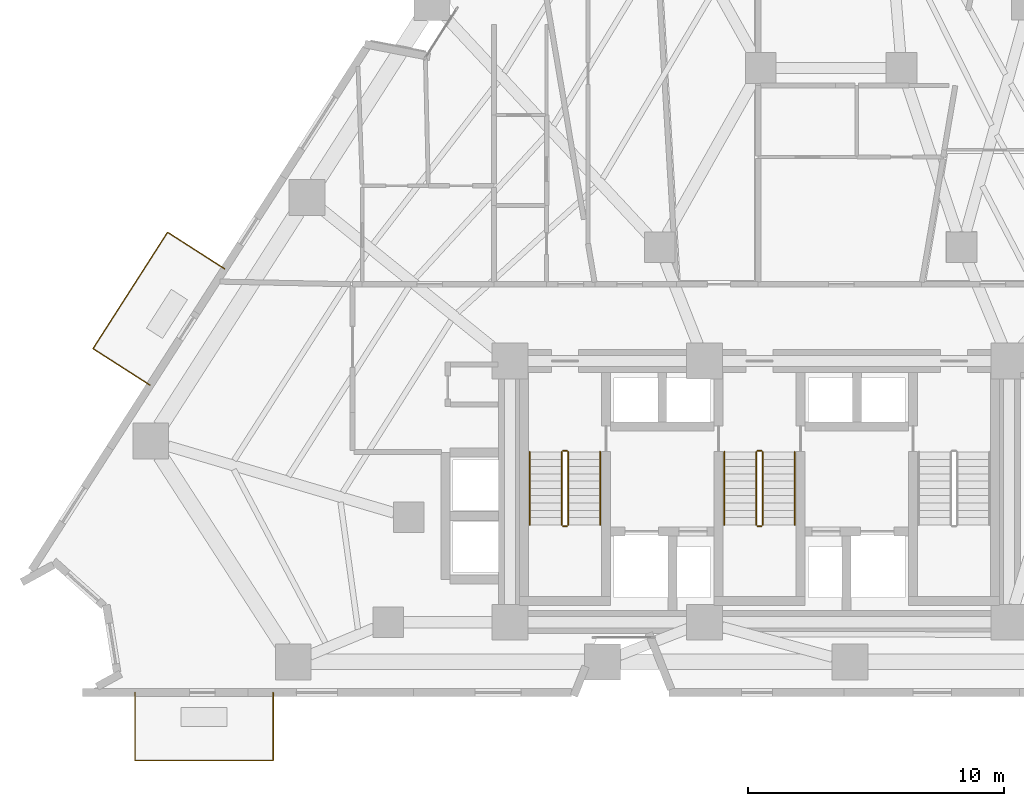
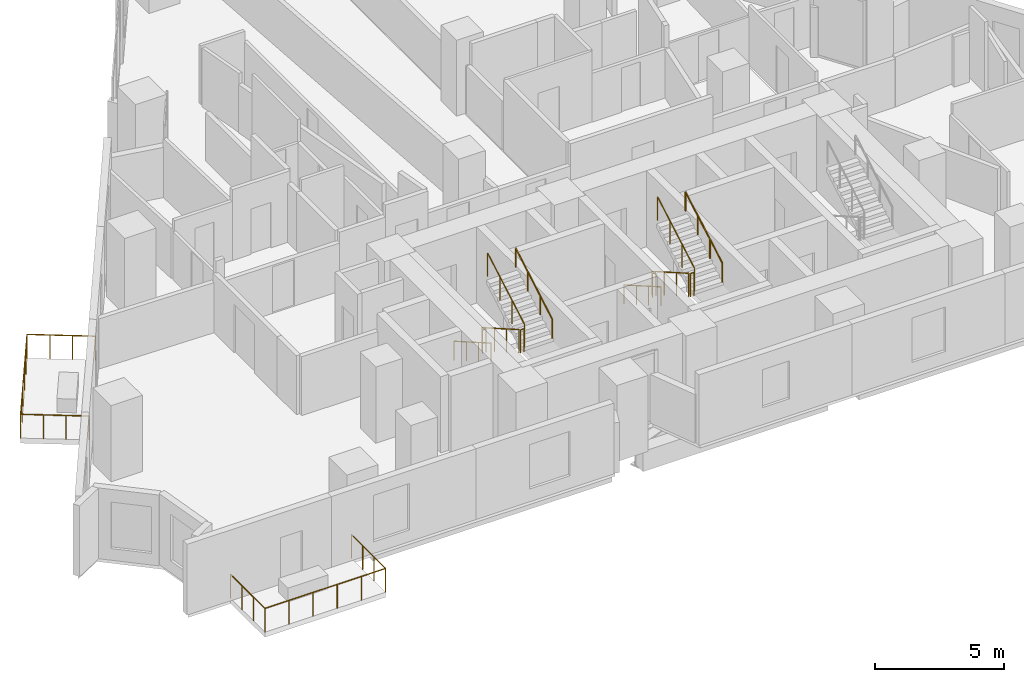
# One storey, part 11 of 14: 14 railings.
"""IFC4 building model written with IfcOpenShell, lengths in metres."""

import ifcopenshell
import ifcopenshell.guid

model = None  # the IFC model being written
_history = None  # IfcOwnerHistory: only IFC2X3 demands one
_inside = {}  # id of a spatial element -> (the spatial element, [elements in it])
_under = {}  # id of a project, library or spatial element -> (it, [spatial elements below it])
_declared = {}  # id of a project -> (the project, [libraries it declares])
_typed = {}  # id of a type object -> (the type object, [elements of that type])
_made_of = {}  # id of a material, layer set ... -> (it, [elements and type objects made of it])


def new_model(schema):
    """Start an empty IFC model of exactly this schema.

    Asked for "IFC4X3", IfcOpenShell would pick the latest addendum, in which some entities
    have other attributes; the version numbers below select the first issue.
    IFC2X3 requires an IfcOwnerHistory on every rooted entity: one is made here for all.
    """
    global model, _history
    if schema == "IFC4X3":
        model = ifcopenshell.file(schema_version=(4, 3, 0, 0))
    else:
        model = ifcopenshell.file(schema=schema)
    _inside.clear()
    _under.clear()
    _declared.clear()
    _typed.clear()
    _made_of.clear()
    _history = None
    if model.schema == "IFC2X3":
        org = make("IfcOrganization", Name="unknown")
        user = make(
            "IfcPersonAndOrganization",
            ThePerson=make("IfcPerson", FamilyName="unknown"),
            TheOrganization=org,
        )
        app = make(
            "IfcApplication",
            ApplicationDeveloper=org,
            Version="unknown",
            ApplicationFullName="unknown",
            ApplicationIdentifier="unknown",
        )
        _history = make(
            "IfcOwnerHistory",
            OwningUser=user,
            OwningApplication=app,
            ChangeAction="ADDED",
            CreationDate=0,
        )
    return model


def make(cls, **values):
    """One entity of the class cls with the attributes given. An attribute that is None is left unset."""
    return model.create_entity(
        cls, **{name: value for name, value in values.items() if value is not None}
    )


def rooted(cls, **values):
    """An entity with a GlobalId (a new one), such as an element, a storey or a relation."""
    return make(cls, GlobalId=ifcopenshell.guid.new(), OwnerHistory=_history, **values)


def si_unit(unit_type, name, prefix=None):
    """IfcSIUnit, for example si_unit("LENGTHUNIT", "METRE", prefix="MILLI")."""
    return make("IfcSIUnit", UnitType=unit_type, Prefix=prefix, Name=name)


def assignment(units):
    """IfcUnitAssignment: the units of a project."""
    return None if units is None else make("IfcUnitAssignment", Units=units)


def point(xyz):
    """IfcCartesianPoint."""
    return None if xyz is None else make("IfcCartesianPoint", Coordinates=xyz)


def direction(xyz):
    """IfcDirection."""
    return None if xyz is None else make("IfcDirection", DirectionRatios=xyz)


def frame(location, z_axis=None, x_axis=None):
    """IfcAxis2Placement3D, a coordinate frame: its origin and axes. An axis left out is left unset."""
    return make(
        "IfcAxis2Placement3D",
        Location=point(location),
        Axis=direction(z_axis),
        RefDirection=direction(x_axis),
    )


def frame_2d(location, x_axis=None):
    """IfcAxis2Placement2D, a coordinate frame in the plane: its origin and x axis."""
    return make(
        "IfcAxis2Placement2D", Location=point(location), RefDirection=direction(x_axis)
    )


def origin():
    """The frame at (0, 0, 0) with its axes left unset."""
    return frame((0.0, 0.0, 0.0))


def origin_2d():
    """The frame at (0, 0) in the plane with its x axis left unset."""
    return frame_2d((0.0, 0.0))


def place(relative_to, where):
    """IfcLocalPlacement: puts the frame where relative to a parent placement (None: the world)."""
    return make(
        "IfcLocalPlacement", PlacementRelTo=relative_to, RelativePlacement=where
    )


def context(
    kind, dimensions, precision=None, world=None, true_north=None, identifier=None
):
    """IfcGeometricRepresentationContext, for example the 3D "Model" context."""
    return make(
        "IfcGeometricRepresentationContext",
        ContextIdentifier=identifier,
        ContextType=kind,
        CoordinateSpaceDimension=dimensions,
        Precision=precision,
        WorldCoordinateSystem=world,
        TrueNorth=true_north,
    )


def subcontext(parent, identifier, kind, view, scale=None):
    """IfcGeometricRepresentationSubContext, for example "Body" below "Model"."""
    return make(
        "IfcGeometricRepresentationSubContext",
        ContextIdentifier=identifier,
        ContextType=kind,
        ParentContext=parent,
        TargetScale=scale,
        TargetView=view,
    )


def project(units=None, contexts=None):
    """IfcProject with its units and contexts."""
    return rooted(
        "IfcProject",
        Name="project",
        RepresentationContexts=contexts,
        UnitsInContext=assignment(units),
    )


def spatial(cls, under=None, at=None, **own):
    """A site, building, storey or space (cls), placed at a placement, below another one or the project."""
    s = rooted(cls, ObjectPlacement=at, **own)
    if under is not None:
        _under.setdefault(under.id(), (under, []))[1].append(s)
    return s


def profile(cls, at=None, kind="AREA", **sizes):
    """A parametric profile (cls). Its sizes go by their IFC names, for example OverallWidth=200.0."""
    return make(cls, ProfileType=kind, Position=at, **sizes)


def circle(**sizes):
    """IfcCircleProfileDef."""
    return profile("IfcCircleProfileDef", **sizes)


def extrude(swept, where, along, depth):
    """IfcExtrudedAreaSolid: the profile swept, set in the frame where, extruded along a direction by depth."""
    return make(
        "IfcExtrudedAreaSolid",
        SweptArea=swept,
        Position=where,
        ExtrudedDirection=direction(along),
        Depth=depth,
    )


def shape(context_of_items, identifier, shape_type, items):
    """IfcShapeRepresentation: the items that make up one representation, for example the "Body"."""
    return make(
        "IfcShapeRepresentation",
        ContextOfItems=context_of_items,
        RepresentationIdentifier=identifier,
        RepresentationType=shape_type,
        Items=items,
    )


def material(Name=None, Category=None):
    """IfcMaterial."""
    return make("IfcMaterial", Name=Name, Category=Category)


def made_of(thing, what):
    """Note that an element or type object is made of a material, layer set ...; save() writes the relation."""
    if what is not None:
        _made_of.setdefault(what.id(), (what, []))[1].append(thing)
    return thing


def type_object(cls, material=None, **own):
    """A type object (cls), such as IfcWallType, which elements share."""
    return made_of(rooted(cls, **own), material)


def element(
    cls,
    number,
    at=None,
    inside=None,
    cuts=None,
    type_object=None,
    material=None,
    context=None,
    identifier="Body",
    shape_type=None,
    held_by="IfcProductDefinitionShape",
    body=None,
    shapes=None,
    **own,
):
    """One element of the class cls, such as IfcWall. Its Tag is "e" and its number.

    at: its placement. inside: the storey or other place that contains it. cuts: it is an
    opening in that element (IfcRelVoidsElement). A single representation is given by context,
    identifier, shape_type and body (its items); several are given by shapes. held_by: the class
    of the entity that holds the representations. save() writes the other relations.
    """
    e = rooted(cls, Tag="e%d" % number, ObjectPlacement=at, **own)
    if body is not None:
        shapes = [shape(context, identifier, shape_type, body)]
    if shapes is not None:
        e.Representation = make(held_by, Representations=shapes)
    if inside is not None:
        _inside.setdefault(inside.id(), (inside, []))[1].append(e)
    if cuts is not None:
        rooted(
            "IfcRelVoidsElement", RelatingBuildingElement=cuts, RelatedOpeningElement=e
        )
    if type_object is not None:
        _typed.setdefault(type_object.id(), (type_object, []))[1].append(e)
    return made_of(e, material)


def aggregate(whole, parts):
    """IfcRelAggregates: a whole, such as a stair, and the parts it consists of."""
    return rooted("IfcRelAggregates", RelatingObject=whole, RelatedObjects=parts)


def save(model, path):
    """Write the relations noted so far, then the file.

    IfcRelAggregates (storeys below a building ...), IfcRelContainedInSpatialStructure (elements
    in a storey), IfcRelDefinesByType, IfcRelAssociatesMaterial and IfcRelDeclares: one each for
    every whole, place, type object, material and project.
    """
    for whole, parts in _under.values():
        aggregate(whole, parts)
    for where, things in _inside.values():
        rooted(
            "IfcRelContainedInSpatialStructure",
            RelatedElements=things,
            RelatingStructure=where,
        )
    for kind, things in _typed.values():
        rooted("IfcRelDefinesByType", RelatedObjects=things, RelatingType=kind)
    for what, things in _made_of.values():
        rooted("IfcRelAssociatesMaterial", RelatedObjects=things, RelatingMaterial=what)
    for by, libraries in _declared.values():
        rooted("IfcRelDeclares", RelatingContext=by, RelatedDefinitions=libraries)
    model.write(path)


model = new_model("IFC4")

# Units and contexts
model_context = context("Model", 3, precision=1e-05, world=origin(), true_north=direction((0.0, 1.0)))
body_context = subcontext(model_context, "Body", "Model", "MODEL_VIEW")
ifc_project = project(units=[si_unit("LENGTHUNIT", "METRE"), si_unit("AREAUNIT", "SQUARE_METRE"), si_unit("VOLUMEUNIT", "CUBIC_METRE"), si_unit("PLANEANGLEUNIT", "RADIAN"), si_unit("MASSUNIT", "GRAM", prefix="KILO")], contexts=[model_context])

# Site, building, storey
site_placement = place(None, origin())
site = spatial("IfcSite", under=ifc_project, at=site_placement, CompositionType="ELEMENT")
building_placement = place(site_placement, origin())
building = spatial("IfcBuilding", under=site, at=building_placement, Name="Almagre Mirador Tower", CompositionType="ELEMENT")
storey_placement = place(building_placement, frame((0.0, 0.0, 67.800048828125)))
storey = spatial("IfcBuildingStorey", under=building, at=storey_placement, Name="L16", CompositionType="ELEMENT", Elevation=67.800048828125)

# Railings
ifc_material_1 = material(Name="Black anodized aluminium", Category="aluminium")
railing_type_1 = type_object("IfcRailingType", Name="RLG-BAL-1150", PredefinedType="BALUSTRADE", material=ifc_material_1)
railing_1_placement = place(storey_placement, frame((12.89990234375, 1.800048828125, 0.0)))
element("IfcRailing", 1, at=railing_1_placement, inside=storey, type_object=railing_type_1, Name="L16 south balcony balustrade 1", PredefinedType="BALUSTRADE", context=body_context, shape_type="SweptSolid", body=[
    extrude(circle(Radius=0.02392578125, at=origin_2d()), frame((0.0, 0.0, 1.1259765625), z_axis=(0.0, -1.0, 0.0), x_axis=(1.0, 0.0, 0.0)), (0.0, 0.0, 1.0), 2.650146484375),
    extrude(circle(Radius=0.02392578125, at=origin_2d()), frame((0.0, -2.650146484375, 1.1259765625), z_axis=(1.0, 0.0, 0.0), x_axis=(0.0, 1.0, 0.0)), (0.0, 0.0, 1.0), 5.400146484375),
    extrude(circle(Radius=0.02392578125, at=origin_2d()), frame((5.400146484375, -2.650146484375, 1.1259765625), z_axis=(0.0, 1.0, 0.0), x_axis=(-1.0, 0.0, 0.0)), (0.0, 0.0, 1.0), 2.650146484375),
    extrude(circle(Radius=0.02099609375, at=origin_2d()), origin(), (0.0, 0.0, 1.0), 1.101806640625),
    extrude(circle(Radius=0.02099609375, at=origin_2d()), frame((0.0, -0.88330078125, 0.0)), (0.0, 0.0, 1.0), 1.101806640625),
    extrude(circle(Radius=0.02099609375, at=origin_2d()), frame((0.0, -1.766845703125, 0.0)), (0.0, 0.0, 1.0), 1.101806640625),
    extrude(circle(Radius=0.02099609375, at=origin_2d()), frame((0.0, -2.650146484375, 0.0)), (0.0, 0.0, 1.0), 1.101806640625),
    extrude(circle(Radius=0.02099609375, at=origin_2d()), frame((1.080078125, -2.650146484375, 0.0)), (0.0, 0.0, 1.0), 1.101806640625),
    extrude(circle(Radius=0.02099609375, at=origin_2d()), frame((2.16015625, -2.650146484375, 0.0)), (0.0, 0.0, 1.0), 1.101806640625),
    extrude(circle(Radius=0.02099609375, at=origin_2d()), frame((3.239990234375, -2.650146484375, 0.0)), (0.0, 0.0, 1.0), 1.101806640625),
    extrude(circle(Radius=0.02099609375, at=origin_2d()), frame((4.320068359375, -2.650146484375, 0.0)), (0.0, 0.0, 1.0), 1.101806640625),
    extrude(circle(Radius=0.02099609375, at=origin_2d()), frame((5.400146484375, -2.650146484375, 0.0)), (0.0, 0.0, 1.0), 1.101806640625),
    extrude(circle(Radius=0.02099609375, at=origin_2d()), frame((5.400146484375, -1.766845703125, 0.0)), (0.0, 0.0, 1.0), 1.101806640625),
    extrude(circle(Radius=0.02099609375, at=origin_2d()), frame((5.400146484375, -0.88330078125, 0.0)), (0.0, 0.0, 1.0), 1.101806640625),
    extrude(circle(Radius=0.02099609375, at=origin_2d()), frame((5.400146484375, 0.0, 0.0)), (0.0, 0.0, 1.0), 1.101806640625),
])
railing_2_placement = place(storey_placement, frame((16.406982421875, 18.35302734375, 0.0)))
element("IfcRailing", 2, at=railing_2_placement, inside=storey, type_object=railing_type_1, Name="L16 west balcony balustrade 2", PredefinedType="BALUSTRADE", context=body_context, shape_type="SweptSolid", body=[
    extrude(circle(Radius=0.02392578125, at=origin_2d()), frame((0.0, 0.0, 1.1259765625), z_axis=(-0.842015379792, 0.539453519957, 0.0), x_axis=(-0.539453519957, -0.842015379792, 0.0)), (0.0, 0.0, 1.0), 2.650634765625),
    extrude(circle(Radius=0.02392578125, at=origin_2d()), frame((-2.23193359375, 1.429931640625, 1.1259765625), z_axis=(-0.53945904581, -0.842011839521, 0.0), x_axis=(0.842011839521, -0.53945904581, 0.0)), (0.0, 0.0, 1.0), 5.39990234375),
    extrude(circle(Radius=0.02392578125, at=origin_2d()), frame((-5.14501953125, -3.116943359375, 1.1259765625), z_axis=(0.842033683642, -0.539424949008, 0.0), x_axis=(0.539424949008, 0.842033683642, 0.0)), (0.0, 0.0, 1.0), 2.6494140625),
    extrude(circle(Radius=0.02099609375, at=origin_2d()), origin(), (0.0, 0.0, 1.0), 1.101806640625),
    extrude(circle(Radius=0.02099609375, at=origin_2d()), frame((-0.743896484375, 0.4765625, 0.0)), (0.0, 0.0, 1.0), 1.101806640625),
    extrude(circle(Radius=0.02099609375, at=origin_2d()), frame((-1.488037109375, 0.953369140625, 0.0)), (0.0, 0.0, 1.0), 1.101806640625),
    extrude(circle(Radius=0.02099609375, at=origin_2d()), frame((-2.23193359375, 1.429931640625, 0.0)), (0.0, 0.0, 1.0), 1.101806640625),
    extrude(circle(Radius=0.02099609375, at=origin_2d()), frame((-2.814453125, 0.5205078125, 0.0)), (0.0, 0.0, 1.0), 1.101806640625),
    extrude(circle(Radius=0.02099609375, at=origin_2d()), frame((-3.397216796875, -0.388916015625, 0.0)), (0.0, 0.0, 1.0), 1.101806640625),
    extrude(circle(Radius=0.02099609375, at=origin_2d()), frame((-3.979736328125, -1.298095703125, 0.0)), (0.0, 0.0, 1.0), 1.101806640625),
    extrude(circle(Radius=0.02099609375, at=origin_2d()), frame((-4.5625, -2.20751953125, 0.0)), (0.0, 0.0, 1.0), 1.101806640625),
    extrude(circle(Radius=0.02099609375, at=origin_2d()), frame((-5.14501953125, -3.116943359375, 0.0)), (0.0, 0.0, 1.0), 1.101806640625),
    extrude(circle(Radius=0.02099609375, at=origin_2d()), frame((-4.4013671875, -3.59326171875, 0.0)), (0.0, 0.0, 1.0), 1.101806640625),
    extrude(circle(Radius=0.02099609375, at=origin_2d()), frame((-3.65771484375, -4.06982421875, 0.0)), (0.0, 0.0, 1.0), 1.101806640625),
    extrude(circle(Radius=0.02099609375, at=origin_2d()), frame((-2.9140625, -4.546142578125, 0.0)), (0.0, 0.0, 1.0), 1.101806640625),
])
ifc_material_2 = material(Name="Painted galvanized steel", Category="steel")
railing_type_2 = type_object("IfcRailingType", Name="RLG-GRD-1100", PredefinedType="GUARDRAIL", material=ifc_material_2)
railing_3_placement = place(storey_placement, frame((29.574951171875, 11.199951171875, 0.16357421875)))
element("IfcRailing", 3, at=railing_3_placement, inside=storey, type_object=railing_type_2, Name="L16 ST-1 stair guard 1", PredefinedType="GUARDRAIL", context=body_context, shape_type="SweptSolid", body=[
    extrude(circle(Radius=0.02392578125, at=origin_2d()), frame((0.0, 0.0, 1.09619140625), z_axis=(0.0, -0.867194282975, 0.497969954491), x_axis=(1.0, 0.0, 0.0)), (0.0, 0.0, 1.0), 3.286376953125),
    extrude(circle(Radius=0.02099609375, at=origin_2d()), origin(), (0.0, 0.0, 1.0), 1.072021484375),
    extrude(circle(Radius=0.02099609375, at=origin_2d()), frame((0.0, -0.949951171875, 0.54541015625)), (0.0, 0.0, 1.0), 1.072021484375),
    extrude(circle(Radius=0.02099609375, at=origin_2d()), frame((0.0, -1.89990234375, 1.091064453125)), (0.0, 0.0, 1.0), 1.072021484375),
    extrude(circle(Radius=0.02099609375, at=origin_2d()), frame((0.0, -2.849853515625, 1.636474609375)), (0.0, 0.0, 1.0), 1.072021484375),
])
railing_4_placement = place(storey_placement, frame((29.625, 8.300048828125, 1.800048828125)))
element("IfcRailing", 4, at=railing_4_placement, inside=storey, type_object=railing_type_2, Name="L16 ST-1 stair guard 2", PredefinedType="GUARDRAIL", context=body_context, shape_type="SweptSolid", body=[
    extrude(circle(Radius=0.02392578125, at=origin_2d()), frame((0.0, 0.0, 1.09619140625), z_axis=(1.0, 0.0, 0.0), x_axis=(0.0, 1.0, 0.0)), (0.0, 0.0, 1.0), 0.14990234375),
    extrude(circle(Radius=0.02099609375, at=origin_2d()), origin(), (0.0, 0.0, 1.0), 1.072021484375),
    extrude(circle(Radius=0.02099609375, at=origin_2d()), frame((0.14990234375, 0.0, 0.0)), (0.0, 0.0, 1.0), 1.072021484375),
])
railing_5_placement = place(storey_placement, frame((29.824951171875, 8.35009765625, 1.963623046875)))
element("IfcRailing", 5, at=railing_5_placement, inside=storey, type_object=railing_type_2, Name="L16 ST-1 stair guard 3", PredefinedType="GUARDRAIL", context=body_context, shape_type="SweptSolid", body=[
    extrude(circle(Radius=0.02392578125, at=origin_2d()), frame((0.0, 0.0, 1.09619140625), z_axis=(0.0, 0.867226363773, 0.497914082927), x_axis=(-1.0, 0.0, 0.0)), (0.0, 0.0, 1.0), 3.2861328125),
    extrude(circle(Radius=0.02099609375, at=origin_2d()), origin(), (0.0, 0.0, 1.0), 1.072021484375),
    extrude(circle(Radius=0.02099609375, at=origin_2d()), frame((0.0, 0.949951171875, 0.54541015625)), (0.0, 0.0, 1.0), 1.072021484375),
    extrude(circle(Radius=0.02099609375, at=origin_2d()), frame((0.0, 1.89990234375, 1.0908203125)), (0.0, 0.0, 1.0), 1.072021484375),
    extrude(circle(Radius=0.02099609375, at=origin_2d()), frame((0.0, 2.849853515625, 1.63623046875)), (0.0, 0.0, 1.0), 1.072021484375),
])
railing_6_placement = place(storey_placement, frame((29.625, 11.25, 0.0)))
element("IfcRailing", 6, at=railing_6_placement, inside=storey, type_object=railing_type_2, Name="L16 ST-1 stair guard 4", PredefinedType="GUARDRAIL", context=body_context, shape_type="SweptSolid", body=[
    extrude(circle(Radius=0.02392578125, at=origin_2d()), frame((0.0, 0.0, 1.09619140625), z_axis=(1.0, 0.0, 0.0), x_axis=(0.0, 1.0, 0.0)), (0.0, 0.0, 1.0), 0.14990234375),
    extrude(circle(Radius=0.02099609375, at=origin_2d()), origin(), (0.0, 0.0, 1.0), 1.072021484375),
    extrude(circle(Radius=0.02099609375, at=origin_2d()), frame((0.14990234375, 0.0, 0.0)), (0.0, 0.0, 1.0), 1.072021484375),
])
railing_7_placement = place(storey_placement, frame((37.175048828125, 11.199951171875, 0.16357421875)))
element("IfcRailing", 7, at=railing_7_placement, inside=storey, type_object=railing_type_2, Name="L16 ST-2 stair guard 1", PredefinedType="GUARDRAIL", context=body_context, shape_type="SweptSolid", body=[
    extrude(circle(Radius=0.02392578125, at=origin_2d()), frame((0.0, 0.0, 1.09619140625), z_axis=(0.0, -0.867194282975, 0.497969954491), x_axis=(1.0, 0.0, 0.0)), (0.0, 0.0, 1.0), 3.286376953125),
    extrude(circle(Radius=0.02099609375, at=origin_2d()), origin(), (0.0, 0.0, 1.0), 1.072021484375),
    extrude(circle(Radius=0.02099609375, at=origin_2d()), frame((0.0, -0.949951171875, 0.54541015625)), (0.0, 0.0, 1.0), 1.072021484375),
    extrude(circle(Radius=0.02099609375, at=origin_2d()), frame((0.0, -1.89990234375, 1.091064453125)), (0.0, 0.0, 1.0), 1.072021484375),
    extrude(circle(Radius=0.02099609375, at=origin_2d()), frame((0.0, -2.849853515625, 1.636474609375)), (0.0, 0.0, 1.0), 1.072021484375),
])
railing_8_placement = place(storey_placement, frame((37.22509765625, 8.300048828125, 1.800048828125)))
element("IfcRailing", 8, at=railing_8_placement, inside=storey, type_object=railing_type_2, Name="L16 ST-2 stair guard 2", PredefinedType="GUARDRAIL", context=body_context, shape_type="SweptSolid", body=[
    extrude(circle(Radius=0.02392578125, at=origin_2d()), frame((0.0, 0.0, 1.09619140625), z_axis=(1.0, 0.0, 0.0), x_axis=(0.0, 1.0, 0.0)), (0.0, 0.0, 1.0), 0.14990234375),
    extrude(circle(Radius=0.02099609375, at=origin_2d()), origin(), (0.0, 0.0, 1.0), 1.072021484375),
    extrude(circle(Radius=0.02099609375, at=origin_2d()), frame((0.14990234375, 0.0, 0.0)), (0.0, 0.0, 1.0), 1.072021484375),
])
railing_9_placement = place(storey_placement, frame((37.425048828125, 8.35009765625, 1.963623046875)))
element("IfcRailing", 9, at=railing_9_placement, inside=storey, type_object=railing_type_2, Name="L16 ST-2 stair guard 3", PredefinedType="GUARDRAIL", context=body_context, shape_type="SweptSolid", body=[
    extrude(circle(Radius=0.02392578125, at=origin_2d()), frame((0.0, 0.0, 1.09619140625), z_axis=(0.0, 0.867226363773, 0.497914082927), x_axis=(-1.0, 0.0, 0.0)), (0.0, 0.0, 1.0), 3.2861328125),
    extrude(circle(Radius=0.02099609375, at=origin_2d()), origin(), (0.0, 0.0, 1.0), 1.072021484375),
    extrude(circle(Radius=0.02099609375, at=origin_2d()), frame((0.0, 0.949951171875, 0.54541015625)), (0.0, 0.0, 1.0), 1.072021484375),
    extrude(circle(Radius=0.02099609375, at=origin_2d()), frame((0.0, 1.89990234375, 1.0908203125)), (0.0, 0.0, 1.0), 1.072021484375),
    extrude(circle(Radius=0.02099609375, at=origin_2d()), frame((0.0, 2.849853515625, 1.63623046875)), (0.0, 0.0, 1.0), 1.072021484375),
])
railing_10_placement = place(storey_placement, frame((37.22509765625, 11.25, 0.0)))
element("IfcRailing", 10, at=railing_10_placement, inside=storey, type_object=railing_type_2, Name="L16 ST-2 stair guard 4", PredefinedType="GUARDRAIL", context=body_context, shape_type="SweptSolid", body=[
    extrude(circle(Radius=0.02392578125, at=origin_2d()), frame((0.0, 0.0, 1.09619140625), z_axis=(1.0, 0.0, 0.0), x_axis=(0.0, 1.0, 0.0)), (0.0, 0.0, 1.0), 0.14990234375),
    extrude(circle(Radius=0.02099609375, at=origin_2d()), origin(), (0.0, 0.0, 1.0), 1.072021484375),
    extrude(circle(Radius=0.02099609375, at=origin_2d()), frame((0.14990234375, 0.0, 0.0)), (0.0, 0.0, 1.0), 1.072021484375),
])
ifc_material_3 = material(Name="Brushed stainless steel", Category="steel")
railing_type_3 = type_object("IfcRailingType", Name="RLG-HND-915", PredefinedType="HANDRAIL", material=ifc_material_3)
railing_11_placement = place(storey_placement, frame((28.324951171875, 11.199951171875, 0.16357421875)))
element("IfcRailing", 11, at=railing_11_placement, inside=storey, type_object=railing_type_3, Name="L16 ST-1 stair handrail 1", PredefinedType="HANDRAIL", context=body_context, shape_type="SweptSolid", body=[
    extrude(circle(Radius=0.02392578125, at=origin_2d()), frame((0.0, 0.0, 0.89111328125), z_axis=(0.0, -0.867194282975, 0.497969954491), x_axis=(1.0, 0.0, 0.0)), (0.0, 0.0, 1.0), 3.286376953125),
    extrude(circle(Radius=0.02099609375, at=origin_2d()), origin(), (0.0, 0.0, 1.0), 0.866943359375),
    extrude(circle(Radius=0.02099609375, at=origin_2d()), frame((0.0, -0.949951171875, 0.54541015625)), (0.0, 0.0, 1.0), 0.866943359375),
    extrude(circle(Radius=0.02099609375, at=origin_2d()), frame((0.0, -1.89990234375, 1.091064453125)), (0.0, 0.0, 1.0), 0.866943359375),
    extrude(circle(Radius=0.02099609375, at=origin_2d()), frame((0.0, -2.849853515625, 1.636474609375)), (0.0, 0.0, 1.0), 0.866943359375),
])
railing_12_placement = place(storey_placement, frame((31.074951171875, 8.35009765625, 1.963623046875)))
element("IfcRailing", 12, at=railing_12_placement, inside=storey, type_object=railing_type_3, Name="L16 ST-1 stair handrail 2", PredefinedType="HANDRAIL", context=body_context, shape_type="SweptSolid", body=[
    extrude(circle(Radius=0.02392578125, at=origin_2d()), frame((0.0, 0.0, 0.89111328125), z_axis=(0.0, 0.867226363773, 0.497914082927), x_axis=(-1.0, 0.0, 0.0)), (0.0, 0.0, 1.0), 3.2861328125),
    extrude(circle(Radius=0.02099609375, at=origin_2d()), origin(), (0.0, 0.0, 1.0), 0.866943359375),
    extrude(circle(Radius=0.02099609375, at=origin_2d()), frame((0.0, 0.949951171875, 0.54541015625)), (0.0, 0.0, 1.0), 0.866943359375),
    extrude(circle(Radius=0.02099609375, at=origin_2d()), frame((0.0, 1.89990234375, 1.0908203125)), (0.0, 0.0, 1.0), 0.866943359375),
    extrude(circle(Radius=0.02099609375, at=origin_2d()), frame((0.0, 2.849853515625, 1.63623046875)), (0.0, 0.0, 1.0), 0.866943359375),
])
railing_13_placement = place(storey_placement, frame((35.925048828125, 11.199951171875, 0.16357421875)))
element("IfcRailing", 13, at=railing_13_placement, inside=storey, type_object=railing_type_3, Name="L16 ST-2 stair handrail 1", PredefinedType="HANDRAIL", context=body_context, shape_type="SweptSolid", body=[
    extrude(circle(Radius=0.02392578125, at=origin_2d()), frame((0.0, 0.0, 0.89111328125), z_axis=(0.0, -0.867194282975, 0.497969954491), x_axis=(1.0, 0.0, 0.0)), (0.0, 0.0, 1.0), 3.286376953125),
    extrude(circle(Radius=0.02099609375, at=origin_2d()), origin(), (0.0, 0.0, 1.0), 0.866943359375),
    extrude(circle(Radius=0.02099609375, at=origin_2d()), frame((0.0, -0.949951171875, 0.54541015625)), (0.0, 0.0, 1.0), 0.866943359375),
    extrude(circle(Radius=0.02099609375, at=origin_2d()), frame((0.0, -1.89990234375, 1.091064453125)), (0.0, 0.0, 1.0), 0.866943359375),
    extrude(circle(Radius=0.02099609375, at=origin_2d()), frame((0.0, -2.849853515625, 1.636474609375)), (0.0, 0.0, 1.0), 0.866943359375),
])
railing_14_placement = place(storey_placement, frame((38.675048828125, 8.35009765625, 1.963623046875)))
element("IfcRailing", 14, at=railing_14_placement, inside=storey, type_object=railing_type_3, Name="L16 ST-2 stair handrail 2", PredefinedType="HANDRAIL", context=body_context, shape_type="SweptSolid", body=[
    extrude(circle(Radius=0.02392578125, at=origin_2d()), frame((0.0, 0.0, 0.89111328125), z_axis=(0.0, 0.867226363773, 0.497914082927), x_axis=(-1.0, 0.0, 0.0)), (0.0, 0.0, 1.0), 3.2861328125),
    extrude(circle(Radius=0.02099609375, at=origin_2d()), origin(), (0.0, 0.0, 1.0), 0.866943359375),
    extrude(circle(Radius=0.02099609375, at=origin_2d()), frame((0.0, 0.949951171875, 0.54541015625)), (0.0, 0.0, 1.0), 0.866943359375),
    extrude(circle(Radius=0.02099609375, at=origin_2d()), frame((0.0, 1.89990234375, 1.0908203125)), (0.0, 0.0, 1.0), 0.866943359375),
    extrude(circle(Radius=0.02099609375, at=origin_2d()), frame((0.0, 2.849853515625, 1.63623046875)), (0.0, 0.0, 1.0), 0.866943359375),
])

save(model, "model.ifc")
